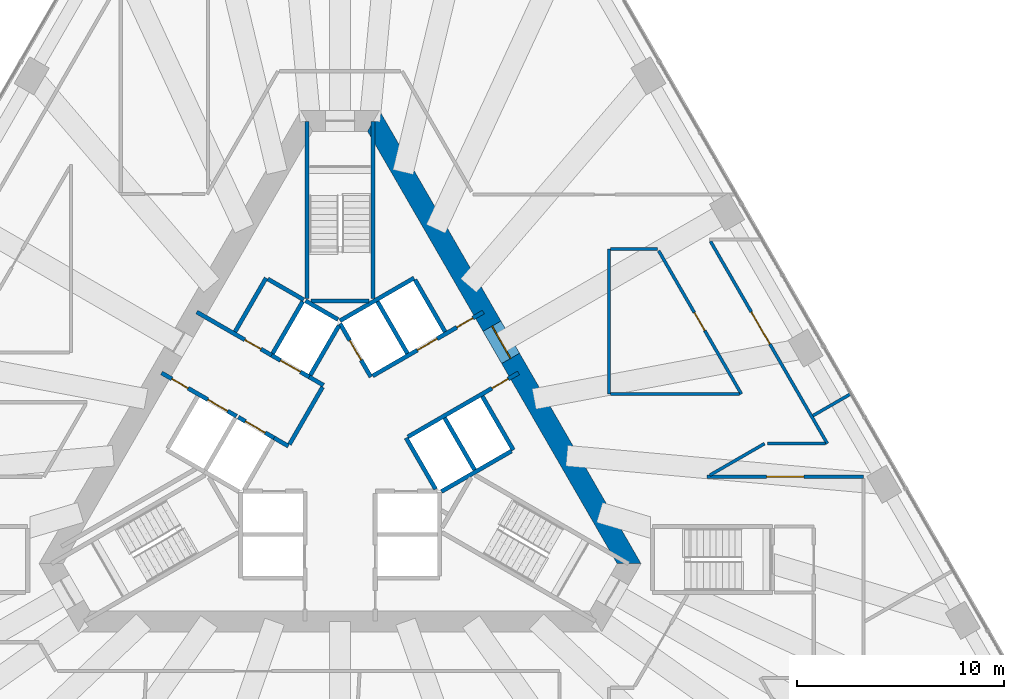
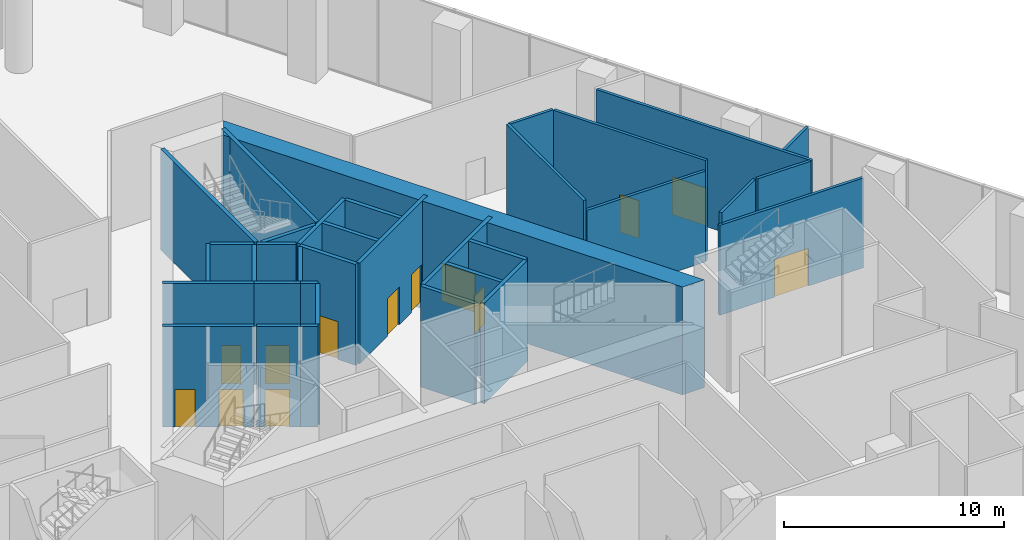
# One storey, part 27 of 36: 35 walls, 13 doors, 13 openings.
"""IFC4 building model written with IfcOpenShell, lengths in metres."""

import ifcopenshell
import ifcopenshell.guid

model = None  # the IFC model being written
_history = None  # IfcOwnerHistory: only IFC2X3 demands one
_inside = {}  # id of a spatial element -> (the spatial element, [elements in it])
_under = {}  # id of a project, library or spatial element -> (it, [spatial elements below it])
_declared = {}  # id of a project -> (the project, [libraries it declares])
_typed = {}  # id of a type object -> (the type object, [elements of that type])
_made_of = {}  # id of a material, layer set ... -> (it, [elements and type objects made of it])


def new_model(schema):
    """Start an empty IFC model of exactly this schema.

    Asked for "IFC4X3", IfcOpenShell would pick the latest addendum, in which some entities
    have other attributes; the version numbers below select the first issue.
    IFC2X3 requires an IfcOwnerHistory on every rooted entity: one is made here for all.
    """
    global model, _history
    if schema == "IFC4X3":
        model = ifcopenshell.file(schema_version=(4, 3, 0, 0))
    else:
        model = ifcopenshell.file(schema=schema)
    _inside.clear()
    _under.clear()
    _declared.clear()
    _typed.clear()
    _made_of.clear()
    _history = None
    if model.schema == "IFC2X3":
        org = make("IfcOrganization", Name="unknown")
        user = make(
            "IfcPersonAndOrganization",
            ThePerson=make("IfcPerson", FamilyName="unknown"),
            TheOrganization=org,
        )
        app = make(
            "IfcApplication",
            ApplicationDeveloper=org,
            Version="unknown",
            ApplicationFullName="unknown",
            ApplicationIdentifier="unknown",
        )
        _history = make(
            "IfcOwnerHistory",
            OwningUser=user,
            OwningApplication=app,
            ChangeAction="ADDED",
            CreationDate=0,
        )
    return model


def make(cls, **values):
    """One entity of the class cls with the attributes given. An attribute that is None is left unset."""
    return model.create_entity(
        cls, **{name: value for name, value in values.items() if value is not None}
    )


def rooted(cls, **values):
    """An entity with a GlobalId (a new one), such as an element, a storey or a relation."""
    return make(cls, GlobalId=ifcopenshell.guid.new(), OwnerHistory=_history, **values)


def si_unit(unit_type, name, prefix=None):
    """IfcSIUnit, for example si_unit("LENGTHUNIT", "METRE", prefix="MILLI")."""
    return make("IfcSIUnit", UnitType=unit_type, Prefix=prefix, Name=name)


def assignment(units):
    """IfcUnitAssignment: the units of a project."""
    return None if units is None else make("IfcUnitAssignment", Units=units)


def point(xyz):
    """IfcCartesianPoint."""
    return None if xyz is None else make("IfcCartesianPoint", Coordinates=xyz)


def direction(xyz):
    """IfcDirection."""
    return None if xyz is None else make("IfcDirection", DirectionRatios=xyz)


def frame(location, z_axis=None, x_axis=None):
    """IfcAxis2Placement3D, a coordinate frame: its origin and axes. An axis left out is left unset."""
    return make(
        "IfcAxis2Placement3D",
        Location=point(location),
        Axis=direction(z_axis),
        RefDirection=direction(x_axis),
    )


def frame_2d(location, x_axis=None):
    """IfcAxis2Placement2D, a coordinate frame in the plane: its origin and x axis."""
    return make(
        "IfcAxis2Placement2D", Location=point(location), RefDirection=direction(x_axis)
    )


def origin():
    """The frame at (0, 0, 0) with its axes left unset."""
    return frame((0.0, 0.0, 0.0))


def place(relative_to, where):
    """IfcLocalPlacement: puts the frame where relative to a parent placement (None: the world)."""
    return make(
        "IfcLocalPlacement", PlacementRelTo=relative_to, RelativePlacement=where
    )


def context(
    kind, dimensions, precision=None, world=None, true_north=None, identifier=None
):
    """IfcGeometricRepresentationContext, for example the 3D "Model" context."""
    return make(
        "IfcGeometricRepresentationContext",
        ContextIdentifier=identifier,
        ContextType=kind,
        CoordinateSpaceDimension=dimensions,
        Precision=precision,
        WorldCoordinateSystem=world,
        TrueNorth=true_north,
    )


def subcontext(parent, identifier, kind, view, scale=None):
    """IfcGeometricRepresentationSubContext, for example "Body" below "Model"."""
    return make(
        "IfcGeometricRepresentationSubContext",
        ContextIdentifier=identifier,
        ContextType=kind,
        ParentContext=parent,
        TargetScale=scale,
        TargetView=view,
    )


def project(units=None, contexts=None):
    """IfcProject with its units and contexts."""
    return rooted(
        "IfcProject",
        Name="project",
        RepresentationContexts=contexts,
        UnitsInContext=assignment(units),
    )


def spatial(cls, under=None, at=None, **own):
    """A site, building, storey or space (cls), placed at a placement, below another one or the project."""
    s = rooted(cls, ObjectPlacement=at, **own)
    if under is not None:
        _under.setdefault(under.id(), (under, []))[1].append(s)
    return s


def polyline(points):
    """IfcPolyline through the points."""
    return make("IfcPolyline", Points=[point(p) for p in points])


def profile(cls, at=None, kind="AREA", **sizes):
    """A parametric profile (cls). Its sizes go by their IFC names, for example OverallWidth=200.0."""
    return make(cls, ProfileType=kind, Position=at, **sizes)


def rectangle(**sizes):
    """IfcRectangleProfileDef."""
    return profile("IfcRectangleProfileDef", **sizes)


def outline(outer, holes=None, kind="AREA"):
    """IfcArbitraryClosedProfileDef: a profile drawn as a closed curve; with holes, ...WithVoids."""
    if holes is None:
        return make("IfcArbitraryClosedProfileDef", ProfileType=kind, OuterCurve=outer)
    return make(
        "IfcArbitraryProfileDefWithVoids",
        ProfileType=kind,
        OuterCurve=outer,
        InnerCurves=holes,
    )


def extrude(swept, where, along, depth):
    """IfcExtrudedAreaSolid: the profile swept, set in the frame where, extruded along a direction by depth."""
    return make(
        "IfcExtrudedAreaSolid",
        SweptArea=swept,
        Position=where,
        ExtrudedDirection=direction(along),
        Depth=depth,
    )


def shape(context_of_items, identifier, shape_type, items):
    """IfcShapeRepresentation: the items that make up one representation, for example the "Body"."""
    return make(
        "IfcShapeRepresentation",
        ContextOfItems=context_of_items,
        RepresentationIdentifier=identifier,
        RepresentationType=shape_type,
        Items=items,
    )


def material(Name=None, Category=None):
    """IfcMaterial."""
    return make("IfcMaterial", Name=Name, Category=Category)


def layer(
    of_material, thickness, ventilated=None, Name=None, Category=None, Priority=None
):
    """IfcMaterialLayer: one layer of a wall or slab, of a material (None: an air gap)."""
    return make(
        "IfcMaterialLayer",
        Material=of_material,
        LayerThickness=thickness,
        IsVentilated=ventilated,
        Name=Name,
        Category=Category,
        Priority=Priority,
    )


def layer_set(layers, Name=None):
    """IfcMaterialLayerSet."""
    return make("IfcMaterialLayerSet", MaterialLayers=layers, LayerSetName=Name)


def made_of(thing, what):
    """Note that an element or type object is made of a material, layer set ...; save() writes the relation."""
    if what is not None:
        _made_of.setdefault(what.id(), (what, []))[1].append(thing)
    return thing


def type_object(cls, material=None, **own):
    """A type object (cls), such as IfcWallType, which elements share."""
    return made_of(rooted(cls, **own), material)


def element(
    cls,
    number,
    at=None,
    inside=None,
    cuts=None,
    type_object=None,
    material=None,
    context=None,
    identifier="Body",
    shape_type=None,
    held_by="IfcProductDefinitionShape",
    body=None,
    shapes=None,
    **own,
):
    """One element of the class cls, such as IfcWall. Its Tag is "e" and its number.

    at: its placement. inside: the storey or other place that contains it. cuts: it is an
    opening in that element (IfcRelVoidsElement). A single representation is given by context,
    identifier, shape_type and body (its items); several are given by shapes. held_by: the class
    of the entity that holds the representations. save() writes the other relations.
    """
    e = rooted(cls, Tag="e%d" % number, ObjectPlacement=at, **own)
    if body is not None:
        shapes = [shape(context, identifier, shape_type, body)]
    if shapes is not None:
        e.Representation = make(held_by, Representations=shapes)
    if inside is not None:
        _inside.setdefault(inside.id(), (inside, []))[1].append(e)
    if cuts is not None:
        rooted(
            "IfcRelVoidsElement", RelatingBuildingElement=cuts, RelatedOpeningElement=e
        )
    if type_object is not None:
        _typed.setdefault(type_object.id(), (type_object, []))[1].append(e)
    return made_of(e, material)


def fill(opening, filler):
    """IfcRelFillsElement: the door or window that sits in an opening."""
    return rooted(
        "IfcRelFillsElement",
        RelatingOpeningElement=opening,
        RelatedBuildingElement=filler,
    )


def aggregate(whole, parts):
    """IfcRelAggregates: a whole, such as a stair, and the parts it consists of."""
    return rooted("IfcRelAggregates", RelatingObject=whole, RelatedObjects=parts)


def save(model, path):
    """Write the relations noted so far, then the file.

    IfcRelAggregates (storeys below a building ...), IfcRelContainedInSpatialStructure (elements
    in a storey), IfcRelDefinesByType, IfcRelAssociatesMaterial and IfcRelDeclares: one each for
    every whole, place, type object, material and project.
    """
    for whole, parts in _under.values():
        aggregate(whole, parts)
    for where, things in _inside.values():
        rooted(
            "IfcRelContainedInSpatialStructure",
            RelatedElements=things,
            RelatingStructure=where,
        )
    for kind, things in _typed.values():
        rooted("IfcRelDefinesByType", RelatedObjects=things, RelatingType=kind)
    for what, things in _made_of.values():
        rooted("IfcRelAssociatesMaterial", RelatedObjects=things, RelatingMaterial=what)
    for by, libraries in _declared.values():
        rooted("IfcRelDeclares", RelatingContext=by, RelatedDefinitions=libraries)
    model.write(path)


model = new_model("IFC4")

# Units and contexts
model_context = context("Model", 3, precision=1e-05, world=origin(), true_north=direction((0.0, 1.0)))
body_context = subcontext(model_context, "Body", "Model", "MODEL_VIEW")
ifc_project = project(units=[si_unit("LENGTHUNIT", "METRE"), si_unit("AREAUNIT", "SQUARE_METRE"), si_unit("VOLUMEUNIT", "CUBIC_METRE"), si_unit("PLANEANGLEUNIT", "RADIAN"), si_unit("MASSUNIT", "GRAM", prefix="KILO")], contexts=[model_context])

# Site, building, storey
site_placement = place(None, origin())
site = spatial("IfcSite", under=ifc_project, at=site_placement, CompositionType="ELEMENT")
building_placement = place(site_placement, origin())
building = spatial("IfcBuilding", under=site, at=building_placement, Name="Triada Interchange Tower", CompositionType="ELEMENT")
storey_placement = place(building_placement, frame((0.0, 0.0, 8.5)))
storey = spatial("IfcBuildingStorey", under=building, at=storey_placement, Name="L01", CompositionType="ELEMENT", Elevation=8.5)

# Wall
ifc_material_1 = material(Name="Concrete C30/37", Category="concrete")
ifc_layer_1 = layer(ifc_material_1, 0.199951171875)
ifc_layer_set_1 = layer_set([ifc_layer_1], Name="CORE WALL 200 EI 120")
wall_type_1 = type_object("IfcWallType", Name="CORE WALL 200 EI 120", PredefinedType="SOLIDWALL", material=ifc_layer_set_1)
wall_1_placement = place(storey_placement, frame((-0.001953125, 5.541015625, 0.0), z_axis=(0.0, 0.0, 1.0), x_axis=(0.86600155993, 0.500041296494, 0.0)))
element("IfcWall", 1, at=wall_1_placement, inside=storey, type_object=wall_type_1, Name="Wall L01 197", PredefinedType="SOLIDWALL", context=body_context, shape_type="SweptSolid", body=[
    extrude(rectangle(XDim=4.131591796875, YDim=0.199951171875, at=frame_2d((2.06591796875, 0.0))), origin(), (0.0, 0.0, 1.0), 5.60009765625),
])

# Wall, opening, door
wall_2_placement = place(storey_placement, frame((0.0, 5.39990234375, 0.0), z_axis=(0.0, 0.0, 1.0), x_axis=(0.500103862429, -0.865965430478, 0.0)))
wall_2 = element("IfcWall", 2, at=wall_2_placement, inside=storey, type_object=wall_type_1, Name="Wall L01 198", PredefinedType="SOLIDWALL", context=body_context, shape_type="SweptSolid", body=[
    extrude(rectangle(XDim=2.973388671875, YDim=0.199951171875, at=frame_2d((1.48681640625, 0.0))), origin(), (0.0, 0.0, 1.0), 5.60009765625),
])
opening_1_placement = place(wall_2_placement, frame((0.93701171875, 0.0, 0.0)))
opening_1 = element("IfcOpeningElement", 3, at=opening_1_placement, cuts=wall_2, Name="Opening LD-LR5", PredefinedType="OPENING", context=body_context, shape_type="SweptSolid", body=[
    extrude(rectangle(XDim=1.10009765625, YDim=2.10009765625, at=frame_2d((0.550048828125, 1.050048828125))), frame((0.0, 0.10986328125, 0.0), z_axis=(0.0, -1.0, 0.0), x_axis=(1.0, 0.0, 0.0)), (0.0, 0.0, 1.0), 0.219970703125),
])
ifc_material_2 = material(Name="Steel S235 door leaf", Category="steel")
door_type_1 = type_object("IfcDoorType", Name="LIFT LANDING DOOR 1100 EI 120", OperationType="SLIDING_TO_LEFT", PredefinedType="DOOR", material=ifc_material_2)
door_1_placement = place(opening_1_placement, origin())
door_1 = element("IfcDoor", 4, at=door_1_placement, inside=storey, type_object=door_type_1, Name="LR5 landing door L01", OperationType="SLIDING_TO_LEFT", OverallHeight=2.10009765625, OverallWidth=1.10009765625, PredefinedType="DOOR", context=body_context, shape_type="SweptSolid", body=[
    extrude(rectangle(XDim=1.10009765625, YDim=2.10009765625, at=frame_2d((0.550048828125, 1.050048828125))), frame((0.0, 0.02490234375, 0.0), z_axis=(0.0, -1.0, 0.0), x_axis=(1.0, 0.0, 0.0)), (0.0, 0.0, 1.0), 0.050048828125),
])
fill(opening_1, door_1)

# Wall
wall_3_placement = place(storey_placement, frame((3.18994140625, -0.125, 0.0), z_axis=(0.0, 0.0, 1.0), x_axis=(0.499988658015, -0.866031951983, 0.0)))
element("IfcWall", 5, at=wall_3_placement, inside=storey, type_object=wall_type_1, Name="Wall L01 199", PredefinedType="SOLIDWALL", context=body_context, shape_type="SweptSolid", body=[
    extrude(rectangle(XDim=2.85791015625, YDim=0.199951171875, at=frame_2d((1.428955078125, 0.0))), origin(), (0.0, 0.0, 1.0), 5.60009765625),
])

# Wall, openings, doors
wall_4_placement = place(storey_placement, frame((1.577880859375, 2.8740234375, 0.0), z_axis=(0.0, 0.0, 1.0), x_axis=(0.866055259465, 0.499948284879, 0.0)))
wall_4 = element("IfcWall", 6, at=wall_4_placement, inside=storey, type_object=wall_type_1, Name="Wall L01 200", PredefinedType="SOLIDWALL", context=body_context, shape_type="SweptSolid", body=[
    extrude(rectangle(XDim=6.176513671875, YDim=0.199951171875, at=frame_2d((3.08837890625, 0.0))), origin(), (0.0, 0.0, 1.0), 5.60009765625),
])
opening_2_placement = place(wall_4_placement, frame((2.49609375, 0.0, 0.0)))
opening_2 = element("IfcOpeningElement", 7, at=opening_2_placement, cuts=wall_4, Name="Opening LD-LR6", PredefinedType="OPENING", context=body_context, shape_type="SweptSolid", body=[
    extrude(rectangle(XDim=1.10009765625, YDim=2.10009765625, at=frame_2d((0.550048828125, 1.050048828125))), frame((0.0, 0.10986328125, 0.0), z_axis=(0.0, -1.0, 0.0), x_axis=(1.0, 0.0, 0.0)), (0.0, 0.0, 1.0), 0.219970703125),
])
opening_3_placement = place(wall_4_placement, frame((4.696044921875, 0.0, 0.0)))
opening_3 = element("IfcOpeningElement", 8, at=opening_3_placement, cuts=wall_4, Name="Opening D01-77", PredefinedType="OPENING", context=body_context, shape_type="SweptSolid", body=[
    extrude(rectangle(XDim=0.89990234375, YDim=2.10009765625, at=frame_2d((0.449951171875, 1.050048828125))), frame((0.0, 0.10986328125, 0.0), z_axis=(0.0, -1.0, 0.0), x_axis=(1.0, 0.0, 0.0)), (0.0, 0.0, 1.0), 0.219970703125),
])
door_2_placement = place(opening_2_placement, origin())
door_2 = element("IfcDoor", 9, at=door_2_placement, inside=storey, type_object=door_type_1, Name="LR6 landing door L01", OperationType="SLIDING_TO_LEFT", OverallHeight=2.10009765625, OverallWidth=1.10009765625, PredefinedType="DOOR", context=body_context, shape_type="SweptSolid", body=[
    extrude(rectangle(XDim=1.10009765625, YDim=2.10009765625, at=frame_2d((0.550048828125, 1.050048828125))), frame((0.0, 0.02490234375, 0.0), z_axis=(0.0, -1.0, 0.0), x_axis=(1.0, 0.0, 0.0)), (0.0, 0.0, 1.0), 0.050048828125),
])
fill(opening_2, door_2)
door_type_2 = type_object("IfcDoorType", Name="RISER ACCESS DOOR 900 EI2 45-C5S200", OperationType="NOTDEFINED", PredefinedType="DOOR", material=ifc_material_2)
door_3_placement = place(opening_3_placement, origin())
door_3 = element("IfcDoor", 10, at=door_3_placement, inside=storey, type_object=door_type_2, Name="Door D01-77 L01", OperationType="SINGLE_SWING_LEFT", OverallHeight=2.10009765625, OverallWidth=0.89990234375, PredefinedType="DOOR", context=body_context, shape_type="SweptSolid", body=[
    extrude(rectangle(XDim=0.89990234375, YDim=2.10009765625, at=frame_2d((0.449951171875, 1.050048828125))), frame((0.0, 0.02490234375, 0.0), z_axis=(0.0, -1.0, 0.0), x_axis=(1.0, 0.0, 0.0)), (0.0, 0.0, 1.0), 0.050048828125),
])
fill(opening_3, door_3)

# Wall, opening, door
wall_5_placement = place(storey_placement, frame((3.278076171875, -0.071044921875, 0.0), z_axis=(0.0, 0.0, 1.0), x_axis=(0.865959795517, 0.500113619639, 0.0)))
wall_5 = element("IfcWall", 11, at=wall_5_placement, inside=storey, type_object=wall_type_1, Name="Wall L01 203", PredefinedType="SOLIDWALL", context=body_context, shape_type="SweptSolid", body=[
    extrude(rectangle(XDim=6.1767578125, YDim=0.199951171875, at=frame_2d((3.08837890625, 0.0))), origin(), (0.0, 0.0, 1.0), 5.60009765625),
])
opening_4_placement = place(wall_5_placement, frame((4.697021484375, 0.0, 0.0)))
opening_4 = element("IfcOpeningElement", 12, at=opening_4_placement, cuts=wall_5, Name="Opening D01-79", PredefinedType="OPENING", context=body_context, shape_type="SweptSolid", body=[
    extrude(rectangle(XDim=0.89990234375, YDim=2.10009765625, at=frame_2d((0.449951171875, 1.050048828125))), frame((0.0, 0.10986328125, 0.0), z_axis=(0.0, -1.0, 0.0), x_axis=(1.0, 0.0, 0.0)), (0.0, 0.0, 1.0), 0.219970703125),
])
door_type_3 = type_object("IfcDoorType", Name="SERVICE DOOR 900 EI2 45-C5S200", OperationType="NOTDEFINED", PredefinedType="DOOR", material=ifc_material_2)
door_4_placement = place(opening_4_placement, origin())
door_4 = element("IfcDoor", 13, at=door_4_placement, inside=storey, type_object=door_type_3, Name="Door D01-79 L01", OperationType="SINGLE_SWING_RIGHT", OverallHeight=2.10009765625, OverallWidth=0.89990234375, PredefinedType="DOOR", context=body_context, shape_type="SweptSolid", body=[
    extrude(rectangle(XDim=0.89990234375, YDim=2.10009765625, at=frame_2d((0.449951171875, 1.050048828125))), frame((0.0, 0.02490234375, 0.0), z_axis=(0.0, -1.0, 0.0), x_axis=(1.0, 0.0, 0.0)), (0.0, 0.0, 1.0), 0.050048828125),
])
fill(opening_4, door_4)

# Walls
wall_6_placement = place(storey_placement, frame((3.6259765625, 7.52001953125, 0.0), z_axis=(0.0, 0.0, 1.0), x_axis=(0.500060147554, -0.865990674793, 0.0)))
element("IfcWall", 14, at=wall_6_placement, inside=storey, type_object=wall_type_1, Name="Wall L01 204", PredefinedType="SOLIDWALL", context=body_context, shape_type="SweptSolid", body=[
    extrude(rectangle(XDim=2.899658203125, YDim=0.199951171875, at=frame_2d((1.44970703125, 0.0))), origin(), (0.0, 0.0, 1.0), 5.60009765625),
])
wall_7_placement = place(storey_placement, frame((6.8759765625, 1.89111328125, 0.0), z_axis=(0.0, 0.0, 1.0), x_axis=(0.499990139034, -0.866031096941, 0.0)))
element("IfcWall", 15, at=wall_7_placement, inside=storey, type_object=wall_type_1, Name="Wall L01 205", PredefinedType="SOLIDWALL", context=body_context, shape_type="SweptSolid", body=[
    extrude(rectangle(XDim=3.0, YDim=0.199951171875, at=frame_2d((1.5, 0.0))), origin(), (0.0, 0.0, 1.0), 5.60009765625),
])
for number, where, z_axis, x_axis, name in (
    (16, (1.806884765625, 6.469970703125, 0.0), (0.0, 0.0, 1.0), (0.50012328804, -0.865954211699, 0.0), "Wall L01 206"),
    (17, (5.056884765625, 0.841064453125, 0.0), (0.0, 0.0, 1.0), (0.50012328804, -0.865954211699, 0.0), "Wall L01 207"),
):
    element("IfcWall", number, at=place(storey_placement, frame(where, z_axis=z_axis, x_axis=x_axis)), inside=storey, type_object=wall_type_1, Name=name, PredefinedType="SOLIDWALL", context=body_context, shape_type="SweptSolid", body=[
        extrude(rectangle(XDim=2.899658203125, YDim=0.199951171875, at=frame_2d((1.44970703125, 0.0))), origin(), (0.0, 0.0, 1.0), 5.60009765625),
    ])
wall_8_placement = place(storey_placement, frame((4.89990234375, -2.714111328125, 0.0), z_axis=(0.0, 0.0, 1.0), x_axis=(0.865992350556, 0.500057245502, 0.0)))
element("IfcWall", 18, at=wall_8_placement, inside=storey, type_object=wall_type_1, Name="Wall L01 208", PredefinedType="SOLIDWALL", context=body_context, shape_type="SweptSolid", body=[
    extrude(rectangle(XDim=3.91357421875, YDim=0.199951171875, at=frame_2d((1.956787109375, 0.0))), origin(), (0.0, 0.0, 1.0), 5.60009765625),
])

# Wall, openings, doors
ifc_layer_2 = layer(ifc_material_1, 0.199951171875)
ifc_layer_set_2 = layer_set([ifc_layer_2], Name="CORE WALL 200 EI 180")
wall_type_2 = type_object("IfcWallType", Name="CORE WALL 200 EI 180", PredefinedType="SOLIDWALL", material=ifc_layer_set_2)
wall_9_placement = place(storey_placement, frame((-8.626953125, 3.01806640625, 0.0), z_axis=(0.0, 0.0, 1.0), x_axis=(0.866039775641, -0.499975106388, 0.0)))
wall_9 = element("IfcWall", 19, at=wall_9_placement, inside=storey, type_object=wall_type_2, Name="Wall L01 209", PredefinedType="SOLIDWALL", context=body_context, shape_type="SweptSolid", body=[
    extrude(rectangle(XDim=4.182373046875, YDim=0.199951171875, at=frame_2d((2.09130859375, 0.0))), origin(), (0.0, 0.0, 1.0), 5.60009765625),
])
opening_5_placement = place(wall_9_placement, frame((2.580078125, 0.0, 0.0)))
opening_5 = element("IfcOpeningElement", 20, at=opening_5_placement, cuts=wall_9, Name="Opening LD-SV1", PredefinedType="OPENING", context=body_context, shape_type="SweptSolid", body=[
    extrude(rectangle(XDim=1.10009765625, YDim=2.10009765625, at=frame_2d((0.550048828125, 1.050048828125))), frame((0.0, 0.10986328125, 0.0), z_axis=(0.0, -1.0, 0.0), x_axis=(1.0, 0.0, 0.0)), (0.0, 0.0, 1.0), 0.219970703125),
])
opening_6_placement = place(wall_9_placement, frame((0.580078125, 0.0, 0.0)))
opening_6 = element("IfcOpeningElement", 21, at=opening_6_placement, cuts=wall_9, Name="Opening D01-75", PredefinedType="OPENING", context=body_context, shape_type="SweptSolid", body=[
    extrude(rectangle(XDim=0.89990234375, YDim=2.10009765625, at=frame_2d((0.449951171875, 1.050048828125))), frame((0.0, 0.10986328125, 0.0), z_axis=(0.0, -1.0, 0.0), x_axis=(1.0, 0.0, 0.0)), (0.0, 0.0, 1.0), 0.219970703125),
])
door_5_placement = place(opening_5_placement, origin())
door_5 = element("IfcDoor", 22, at=door_5_placement, inside=storey, type_object=door_type_1, Name="SV1 landing door L01", OperationType="SLIDING_TO_LEFT", OverallHeight=2.10009765625, OverallWidth=1.10009765625, PredefinedType="DOOR", context=body_context, shape_type="SweptSolid", body=[
    extrude(rectangle(XDim=1.10009765625, YDim=2.10009765625, at=frame_2d((0.550048828125, 1.050048828125))), frame((0.0, 0.02490234375, 0.0), z_axis=(0.0, -1.0, 0.0), x_axis=(1.0, 0.0, 0.0)), (0.0, 0.0, 1.0), 0.050048828125),
])
fill(opening_5, door_5)
door_6_placement = place(opening_6_placement, origin())
door_6 = element("IfcDoor", 23, at=door_6_placement, inside=storey, type_object=door_type_3, Name="Door D01-75 L01", OperationType="SINGLE_SWING_RIGHT", OverallHeight=2.10009765625, OverallWidth=0.89990234375, PredefinedType="DOOR", context=body_context, shape_type="SweptSolid", body=[
    extrude(rectangle(XDim=0.89990234375, YDim=2.10009765625, at=frame_2d((0.449951171875, 1.050048828125))), frame((0.0, 0.02490234375, 0.0), z_axis=(0.0, -1.0, 0.0), x_axis=(1.0, 0.0, 0.0)), (0.0, 0.0, 1.0), 0.050048828125),
])
fill(opening_6, door_6)

# Wall
wall_10_placement = place(storey_placement, frame((-3.18798828125, -0.1220703125, 0.0), z_axis=(0.0, 0.0, 1.0), x_axis=(0.865705793592, -0.50055317294, 0.0)))
element("IfcWall", 24, at=wall_10_placement, inside=storey, type_object=wall_type_2, Name="Wall L01 210", PredefinedType="SOLIDWALL", context=body_context, shape_type="SweptSolid", body=[
    extrude(rectangle(XDim=0.796875, YDim=0.199951171875, at=frame_2d((0.3984375, 0.0))), origin(), (0.0, 0.0, 1.0), 5.60009765625),
])

# Wall, opening, door
wall_11_placement = place(storey_placement, frame((-6.927001953125, 5.9619140625, 0.0), z_axis=(0.0, 0.0, 1.0), x_axis=(0.866065051207, -0.49993132236, 0.0)))
wall_11 = element("IfcWall", 25, at=wall_11_placement, inside=storey, type_object=wall_type_2, Name="Wall L01 211", PredefinedType="SOLIDWALL", context=body_context, shape_type="SweptSolid", body=[
    extrude(rectangle(XDim=4.18212890625, YDim=0.199951171875, at=frame_2d((2.091064453125, 0.0))), origin(), (0.0, 0.0, 1.0), 5.60009765625),
])
opening_7_placement = place(wall_11_placement, frame((2.679931640625, 0.0, 0.0)))
opening_7 = element("IfcOpeningElement", 26, at=opening_7_placement, cuts=wall_11, Name="Opening D01-10", PredefinedType="OPENING", context=body_context, shape_type="SweptSolid", body=[
    extrude(rectangle(XDim=0.89990234375, YDim=2.10009765625, at=frame_2d((0.449951171875, 1.050048828125))), frame((0.0, 0.10986328125, 0.0), z_axis=(0.0, -1.0, 0.0), x_axis=(1.0, 0.0, 0.0)), (0.0, 0.0, 1.0), 0.219970703125),
])
door_type_4 = type_object("IfcDoorType", Name="SERVICE DOOR 900 EI2 90-C5S200", OperationType="NOTDEFINED", PredefinedType="DOOR", material=ifc_material_2)
door_7_placement = place(opening_7_placement, origin())
door_7 = element("IfcDoor", 27, at=door_7_placement, inside=storey, type_object=door_type_4, Name="Door D01-10 L01", OperationType="SINGLE_SWING_LEFT", OverallHeight=2.10009765625, OverallWidth=0.89990234375, PredefinedType="DOOR", context=body_context, shape_type="SweptSolid", body=[
    extrude(rectangle(XDim=0.89990234375, YDim=2.10009765625, at=frame_2d((0.449951171875, 1.050048828125))), frame((0.0, 0.02490234375, 0.0), z_axis=(0.0, -1.0, 0.0), x_axis=(1.0, 0.0, 0.0)), (0.0, 0.0, 1.0), 0.050048828125),
])
fill(opening_7, door_7)

# Walls
wall_12_placement = place(storey_placement, frame((-1.488037109375, 2.822021484375, 0.0), z_axis=(0.0, 0.0, 1.0), x_axis=(0.866236612152, -0.499633997809, 0.0)))
element("IfcWall", 28, at=wall_12_placement, inside=storey, type_object=wall_type_2, Name="Wall L01 212", PredefinedType="SOLIDWALL", context=body_context, shape_type="SweptSolid", body=[
    extrude(rectangle(XDim=0.79638671875, YDim=0.199951171875, at=frame_2d((0.398193359375, 0.0))), origin(), (0.0, 0.0, 1.0), 5.60009765625),
])
wall_13_placement = place(storey_placement, frame((-5.075927734375, 5.009033203125, 0.0), z_axis=(0.0, 0.0, 1.0), x_axis=(0.50002537861, 0.866010750942, 0.0)))
element("IfcWall", 29, at=wall_13_placement, inside=storey, type_object=wall_type_2, Name="Wall L01 213", PredefinedType="SOLIDWALL", context=body_context, shape_type="SweptSolid", body=[
    extrude(rectangle(XDim=2.999755859375, YDim=0.199951171875, at=frame_2d((1.5, 0.0))), origin(), (0.0, 0.0, 1.0), 5.60009765625),
])
wall_14_placement = place(storey_placement, frame((-3.489013671875, 7.556884765625, 0.0), z_axis=(0.0, 0.0, 1.0), x_axis=(0.866010750942, -0.50002537861, 0.0)))
element("IfcWall", 30, at=wall_14_placement, inside=storey, type_object=wall_type_2, Name="Wall L01 214", PredefinedType="SOLIDWALL", context=body_context, shape_type="SweptSolid", body=[
    extrude(rectangle(XDim=2.0, YDim=0.199951171875, at=frame_2d((1.0, 0.0))), origin(), (0.0, 0.0, 1.0), 5.60009765625),
])
wall_15_placement = place(storey_placement, frame((-2.444091796875, -0.43310546875, 0.0), z_axis=(0.0, 0.0, 1.0), x_axis=(0.500035624827, 0.866004834804, 0.0)))
element("IfcWall", 31, at=wall_15_placement, inside=storey, type_object=wall_type_2, Name="Wall L01 215", PredefinedType="SOLIDWALL", context=body_context, shape_type="SweptSolid", body=[
    extrude(rectangle(XDim=3.194091796875, YDim=0.199951171875, at=frame_2d((1.59716796875, 0.0))), origin(), (0.0, 0.0, 1.0), 5.60009765625),
])

# Wall, opening, door
wall_16_placement = place(storey_placement, frame((-4.919921875, 0.8779296875, 0.0), z_axis=(0.0, 0.0, 1.0), x_axis=(0.866010750942, -0.50002537861, 0.0)))
wall_16 = element("IfcWall", 32, at=wall_16_placement, inside=storey, type_object=wall_type_2, Name="Shaft wall FF1 L01 218", PredefinedType="SOLIDWALL", context=body_context, shape_type="SweptSolid", body=[
    extrude(rectangle(XDim=2.0, YDim=0.199951171875, at=frame_2d((1.0, 0.0))), origin(), (0.0, 0.0, 1.0), 5.60009765625),
])
opening_8_placement = place(wall_16_placement, frame((0.39990234375, 0.0, 0.0)))
opening_8 = element("IfcOpeningElement", 33, at=opening_8_placement, cuts=wall_16, Name="Opening LD-FF1", PredefinedType="OPENING", context=body_context, shape_type="SweptSolid", body=[
    extrude(rectangle(XDim=1.10009765625, YDim=2.10009765625, at=frame_2d((0.550048828125, 1.050048828125))), frame((0.0, 0.10986328125, 0.0), z_axis=(0.0, -1.0, 0.0), x_axis=(1.0, 0.0, 0.0)), (0.0, 0.0, 1.0), 0.219970703125),
])
door_8_placement = place(opening_8_placement, origin())
door_8 = element("IfcDoor", 34, at=door_8_placement, inside=storey, type_object=door_type_1, Name="FF1 landing door L01", OperationType="SLIDING_TO_LEFT", OverallHeight=2.10009765625, OverallWidth=1.10009765625, PredefinedType="DOOR", context=body_context, shape_type="SweptSolid", body=[
    extrude(rectangle(XDim=1.10009765625, YDim=2.10009765625, at=frame_2d((0.550048828125, 1.050048828125))), frame((0.0, 0.02490234375, 0.0), z_axis=(0.0, -1.0, 0.0), x_axis=(1.0, 0.0, 0.0)), (0.0, 0.0, 1.0), 0.050048828125),
])
fill(opening_8, door_8)

wall_17_placement = place(storey_placement, frame((-3.30908203125, 3.873046875, 0.0), z_axis=(0.0, 0.0, 1.0), x_axis=(0.866098583652, -0.499873227325, 0.0)))
wall_17 = element("IfcWall", 35, at=wall_17_placement, inside=storey, type_object=wall_type_2, Name="Shaft wall FF2 L01 220", PredefinedType="SOLIDWALL", context=body_context, shape_type="SweptSolid", body=[
    extrude(rectangle(XDim=2.1025390625, YDim=0.199951171875, at=frame_2d((1.05126953125, 0.0))), origin(), (0.0, 0.0, 1.0), 5.60009765625),
])
opening_9_placement = place(wall_17_placement, frame((0.501953125, 0.0, 0.0)))
opening_9 = element("IfcOpeningElement", 36, at=opening_9_placement, cuts=wall_17, Name="Opening LD-FF2", PredefinedType="OPENING", context=body_context, shape_type="SweptSolid", body=[
    extrude(rectangle(XDim=1.10009765625, YDim=2.10009765625, at=frame_2d((0.550048828125, 1.050048828125))), frame((0.0, 0.10986328125, 0.0), z_axis=(0.0, -1.0, 0.0), x_axis=(1.0, 0.0, 0.0)), (0.0, 0.0, 1.0), 0.219970703125),
])
door_9_placement = place(opening_9_placement, origin())
door_9 = element("IfcDoor", 37, at=door_9_placement, inside=storey, type_object=door_type_1, Name="FF2 landing door L01", OperationType="SLIDING_TO_LEFT", OverallHeight=2.10009765625, OverallWidth=1.10009765625, PredefinedType="DOOR", context=body_context, shape_type="SweptSolid", body=[
    extrude(rectangle(XDim=1.10009765625, YDim=2.10009765625, at=frame_2d((0.550048828125, 1.050048828125))), frame((0.0, 0.02490234375, 0.0), z_axis=(0.0, -1.0, 0.0), x_axis=(1.0, 0.0, 0.0)), (0.0, 0.0, 1.0), 0.050048828125),
])
fill(opening_9, door_9)

# Walls
wall_18_placement = place(storey_placement, frame((-3.257080078125, 3.958984375, 0.0), z_axis=(0.0, 0.0, 1.0), x_axis=(0.50012328804, 0.865954211699, 0.0)))
element("IfcWall", 38, at=wall_18_placement, inside=storey, type_object=wall_type_2, Name="Shaft wall FF2 L01 221", PredefinedType="SOLIDWALL", context=body_context, shape_type="SweptSolid", body=[
    extrude(rectangle(XDim=2.899658203125, YDim=0.199951171875, at=frame_2d((1.44970703125, 0.0))), origin(), (0.0, 0.0, 1.0), 5.60009765625),
])
wall_19_placement = place(storey_placement, frame((-1.669921875, 6.507080078125, 0.0), z_axis=(0.0, 0.0, 1.0), x_axis=(0.865941441609, -0.500145398563, 0.0)))
element("IfcWall", 39, at=wall_19_placement, inside=storey, type_object=wall_type_2, Name="Shaft wall FF2 L01 222", PredefinedType="SOLIDWALL", context=body_context, shape_type="SweptSolid", body=[
    extrude(rectangle(XDim=1.8154296875, YDim=0.199951171875, at=frame_2d((0.90771484375, 0.0))), origin(), (0.0, 0.0, 1.0), 5.60009765625),
])
wall_20_placement = place(storey_placement, frame((-1.43798828125, 2.908935546875, 0.0), z_axis=(0.0, 0.0, 1.0), x_axis=(0.499829630636, 0.866123744241, 0.0)))
element("IfcWall", 40, at=wall_20_placement, inside=storey, type_object=wall_type_2, Name="Shaft wall FF2 L01 223", PredefinedType="SOLIDWALL", context=body_context, shape_type="SweptSolid", body=[
    extrude(rectangle(XDim=2.7607421875, YDim=0.199951171875, at=frame_2d((1.38037109375, 0.0))), origin(), (0.0, 0.0, 1.0), 5.60009765625),
])
ifc_layer_3 = layer(ifc_material_1, 0.199951171875)
ifc_layer_set_3 = layer_set([ifc_layer_3], Name="CORE WALL 200 REI 240")
wall_type_3 = type_object("IfcWallType", Name="CORE WALL 200 REI 240", PredefinedType="SOLIDWALL", material=ifc_layer_set_3)
wall_21_placement = place(storey_placement, frame((1.60009765625, 6.614990234375, 0.0), z_axis=(0.0, 0.0, 1.0), x_axis=(0.0, 1.0, 0.0)))
element("IfcWall", 41, at=wall_21_placement, inside=storey, type_object=wall_type_3, Name="Wall L01 229", PredefinedType="SOLIDWALL", context=body_context, shape_type="SweptSolid", body=[
    extrude(rectangle(XDim=8.56494140625, YDim=0.199951171875, at=frame_2d((4.282470703125, 0.0))), origin(), (0.0, 0.0, 1.0), 5.60009765625),
])
wall_22_placement = place(storey_placement, frame((-1.39990234375, 6.5, 0.0), z_axis=(0.0, 0.0, 1.0), x_axis=(1.0, 0.0, 0.0)))
element("IfcWall", 42, at=wall_22_placement, inside=storey, type_object=wall_type_3, Name="Wall L01 230", PredefinedType="SOLIDWALL", context=body_context, shape_type="SweptSolid", body=[
    extrude(rectangle(XDim=2.7998046875, YDim=0.199951171875, at=frame_2d((1.39990234375, 0.0))), origin(), (0.0, 0.0, 1.0), 5.60009765625),
])
wall_23_placement = place(storey_placement, frame((-1.60009765625, 6.614990234375, 0.0), z_axis=(0.0, 0.0, 1.0), x_axis=(0.0, 1.0, 0.0)))
element("IfcWall", 43, at=wall_23_placement, inside=storey, type_object=wall_type_3, Name="Wall L01 231", PredefinedType="SOLIDWALL", context=body_context, shape_type="SweptSolid", body=[
    extrude(rectangle(XDim=8.56494140625, YDim=0.199951171875, at=frame_2d((4.282470703125, 0.0))), origin(), (0.0, 0.0, 1.0), 5.60009765625),
])

# Wall, opening, door
ifc_material_3 = material(Name="Concrete C70/85", Category="concrete")
ifc_layer_4 = layer(ifc_material_3, 1.0)
ifc_layer_set_4 = layer_set([ifc_layer_4], Name="Core wall P 1000")
wall_type_4 = type_object("IfcWallType", Name="Core wall P 1000", PredefinedType="SHEAR", material=ifc_layer_set_4)
wall_24_placement = place(storey_placement, frame((13.971923828125, -6.199951171875, -0.39990234375), z_axis=(0.0, 0.0, 1.0), x_axis=(-0.499992141631, 0.866029940768, 0.0)))
wall_24 = element("IfcWall", 44, at=wall_24_placement, inside=storey, type_object=wall_type_4, Name="Core wall WP06 L01", PredefinedType="SHEAR", context=body_context, shape_type="SweptSolid", body=[
    extrude(outline(polyline([(-0.2880859375, -0.5), (1.656982421875, -0.5), (3.602294921875, -0.499755859375), (5.54736328125, -0.499755859375), (7.49267578125, -0.499755859375), (9.437744140625, -0.49951171875), (11.3828125, -0.49951171875), (13.328125, -0.49951171875), (15.273193359375, -0.49951171875), (17.21826171875, -0.499267578125), (19.16357421875, -0.499267578125), (21.108642578125, -0.499267578125), (23.053955078125, -0.4990234375), (24.9990234375, -0.4990234375), (24.422119140625, 0.5), (22.565673828125, 0.5), (20.709228515625, 0.5), (18.852783203125, 0.5), (16.996337890625, 0.5), (15.139892578125, 0.5), (13.283447265625, 0.5), (11.4267578125, 0.5), (9.5703125, 0.5), (7.7138671875, 0.5), (5.857421875, 0.5), (4.0009765625, 0.5), (2.14453125, 0.5), (0.2880859375, 0.5), (-0.2880859375, -0.5)])), origin(), (0.0, 0.0, 1.0), 6.0),
])
opening_10_placement = place(wall_24_placement, frame((11.455078125, 0.0, 0.39990234375)))
opening_10 = element("IfcOpeningElement", 45, at=opening_10_placement, cuts=wall_24, Name="Opening D01-70", PredefinedType="OPENING", context=body_context, shape_type="SweptSolid", body=[
    extrude(rectangle(XDim=1.800048828125, YDim=2.10009765625, at=frame_2d((0.89990234375, 1.050048828125))), frame((0.0, 0.510009765625, 0.0), z_axis=(0.0, -1.0, 0.0), x_axis=(1.0, 0.0, 0.0)), (0.0, 0.0, 1.0), 1.02001953125),
])
door_type_5 = type_object("IfcDoorType", Name="LOBBY DOOR 1800 EI2 90-C5S200", OperationType="DOUBLE_DOOR_SINGLE_SWING", PredefinedType="DOOR", material=ifc_material_2)
door_10_placement = place(opening_10_placement, origin())
door_10 = element("IfcDoor", 46, at=door_10_placement, inside=storey, type_object=door_type_5, Name="Door D01-70 L01", OperationType="DOUBLE_DOOR_SINGLE_SWING", OverallHeight=2.10009765625, OverallWidth=1.800048828125, PredefinedType="DOOR", context=body_context, shape_type="SweptSolid", body=[
    extrude(rectangle(XDim=1.800048828125, YDim=2.10009765625, at=frame_2d((0.89990234375, 1.050048828125))), frame((0.0, 0.02490234375, 0.0), z_axis=(0.0, -1.0, 0.0), x_axis=(1.0, 0.0, 0.0)), (0.0, 0.0, 1.0), 0.050048828125),
])
fill(opening_10, door_10)

# Wall
ifc_material_4 = material(Name="Gypsum board partition")
ifc_layer_5 = layer(ifc_material_4, 0.14990234375)
ifc_layer_set_5 = layer_set([ifc_layer_5], Name="PARTITION 150")
wall_type_5 = type_object("IfcWallType", Name="PARTITION 150", PredefinedType="PARTITIONING", material=ifc_layer_set_5)
wall_25_placement = place(storey_placement, frame((22.861083984375, 0.952880859375, 0.0), z_axis=(0.0, 0.0, 1.0), x_axis=(0.866185586049, 0.49972245349, 0.0)))
element("IfcWall", 47, at=wall_25_placement, inside=storey, type_object=wall_type_5, Name="Wall L01 161", PredefinedType="PARTITIONING", context=body_context, shape_type="SweptSolid", body=[
    extrude(rectangle(XDim=2.125244140625, YDim=0.14990234375, at=frame_2d((1.0625, 0.0))), origin(), (0.0, 0.0, 1.0), 5.60009765625),
])

# Wall, opening, door
ifc_layer_6 = layer(ifc_material_4, 0.14990234375)
ifc_layer_set_6 = layer_set([ifc_layer_6], Name="PARTITION 150 EI 90")
wall_type_6 = type_object("IfcWallType", Name="PARTITION 150 EI 90", PredefinedType="PARTITIONING", material=ifc_layer_set_6)
wall_26_placement = place(storey_placement, frame((17.7470703125, -2.0, 0.0), z_axis=(0.0, 0.0, 1.0), x_axis=(1.0, 0.0, 0.0)))
wall_26 = element("IfcWall", 48, at=wall_26_placement, inside=storey, type_object=wall_type_6, Name="Wall L01 91", PredefinedType="PARTITIONING", context=body_context, shape_type="SweptSolid", body=[
    extrude(rectangle(XDim=7.552978515625, YDim=0.14990234375, at=frame_2d((3.7763671875, 0.0))), origin(), (0.0, 0.0, 1.0), 5.0),
])
opening_11_placement = place(wall_26_placement, frame((2.876953125, 0.0, 0.0)))
opening_11 = element("IfcOpeningElement", 49, at=opening_11_placement, cuts=wall_26, Name="Opening D01-67", PredefinedType="OPENING", context=body_context, shape_type="SweptSolid", body=[
    extrude(rectangle(XDim=1.800048828125, YDim=2.10009765625, at=frame_2d((0.89990234375, 1.050048828125))), frame((0.0, 0.0849609375, 0.0), z_axis=(0.0, -1.0, 0.0), x_axis=(1.0, 0.0, 0.0)), (0.0, 0.0, 1.0), 0.169921875),
])
door_type_6 = type_object("IfcDoorType", Name="SHOP AND HALL ENTRANCE DOOR 1800 EI2 90-C5S200", OperationType="DOUBLE_DOOR_SINGLE_SWING", PredefinedType="DOOR", material=ifc_material_2)
door_11_placement = place(opening_11_placement, origin())
door_11 = element("IfcDoor", 50, at=door_11_placement, inside=storey, type_object=door_type_6, Name="Door D01-67 L01", OperationType="DOUBLE_DOOR_SINGLE_SWING", OverallHeight=2.10009765625, OverallWidth=1.800048828125, PredefinedType="DOOR", context=body_context, shape_type="SweptSolid", body=[
    extrude(rectangle(XDim=1.800048828125, YDim=2.10009765625, at=frame_2d((0.89990234375, 1.050048828125))), frame((0.0, 0.02490234375, 0.0), z_axis=(0.0, -1.0, 0.0), x_axis=(1.0, 0.0, 0.0)), (0.0, 0.0, 1.0), 0.050048828125),
])
fill(opening_11, door_11)

# Wall
wall_27_placement = place(storey_placement, frame((13.0, 2.0, 0.0), z_axis=(0.0, 0.0, 1.0), x_axis=(0.0, 1.0, 0.0)))
element("IfcWall", 51, at=wall_27_placement, inside=storey, type_object=wall_type_6, Name="Wall L01 144", PredefinedType="PARTITIONING", context=body_context, shape_type="SweptSolid", body=[
    extrude(rectangle(XDim=7.0, YDim=0.14990234375, at=frame_2d((3.5, 0.0))), origin(), (0.0, 0.0, 1.0), 5.60009765625),
])

# Wall, opening, door
wall_28_placement = place(storey_placement, frame((17.906005859375, 9.385009765625, 0.0), z_axis=(0.0, 0.0, 1.0), x_axis=(0.500038545404, -0.866003148442, 0.0)))
wall_28 = element("IfcWall", 52, at=wall_28_placement, inside=storey, type_object=wall_type_6, Name="Wall L01 155", PredefinedType="PARTITIONING", context=body_context, shape_type="SweptSolid", body=[
    extrude(rectangle(XDim=11.298828125, YDim=0.14990234375, at=frame_2d((5.6494140625, 0.0))), origin(), (0.0, 0.0, 1.0), 5.60009765625),
])
opening_12_placement = place(wall_28_placement, frame((3.947021484375, 0.0, 0.0)))
opening_12 = element("IfcOpeningElement", 53, at=opening_12_placement, cuts=wall_28, Name="Opening D01-66", PredefinedType="OPENING", context=body_context, shape_type="SweptSolid", body=[
    extrude(rectangle(XDim=1.800048828125, YDim=2.10009765625, at=frame_2d((0.89990234375, 1.050048828125))), frame((0.0, 0.0849609375, 0.0), z_axis=(0.0, -1.0, 0.0), x_axis=(1.0, 0.0, 0.0)), (0.0, 0.0, 1.0), 0.169921875),
])
door_12_placement = place(opening_12_placement, origin())
door_12 = element("IfcDoor", 54, at=door_12_placement, inside=storey, type_object=door_type_6, Name="Door D01-66 L01", OperationType="DOUBLE_DOOR_SINGLE_SWING", OverallHeight=2.10009765625, OverallWidth=1.800048828125, PredefinedType="DOOR", context=body_context, shape_type="SweptSolid", body=[
    extrude(rectangle(XDim=1.800048828125, YDim=2.10009765625, at=frame_2d((0.89990234375, 1.050048828125))), frame((0.0, 0.02490234375, 0.0), z_axis=(0.0, -1.0, 0.0), x_axis=(1.0, 0.0, 0.0)), (0.0, 0.0, 1.0), 0.050048828125),
])
fill(opening_12, door_12)

# Walls
wall_29_placement = place(storey_placement, frame((17.876953125, -1.925048828125, 0.0), z_axis=(0.0, 0.0, 1.0), x_axis=(0.865982946147, 0.500073531575, 0.0)))
element("IfcWall", 55, at=wall_29_placement, inside=storey, type_object=wall_type_6, Name="Wall L01 160", PredefinedType="PARTITIONING", context=body_context, shape_type="SweptSolid", body=[
    extrude(rectangle(XDim=3.0498046875, YDim=0.14990234375, at=frame_2d((1.52490234375, 0.0))), origin(), (0.0, 0.0, 1.0), 5.60009765625),
])
wall_30_placement = place(storey_placement, frame((20.66796875, -0.39990234375, 0.0), z_axis=(0.0, 0.0, 1.0), x_axis=(1.0, 0.0, 0.0)))
element("IfcWall", 56, at=wall_30_placement, inside=storey, type_object=wall_type_6, Name="Wall L01 163", PredefinedType="PARTITIONING", context=body_context, shape_type="SweptSolid", body=[
    extrude(rectangle(XDim=2.801025390625, YDim=0.14990234375, at=frame_2d((1.400390625, 0.0))), origin(), (0.0, 0.0, 1.0), 5.60009765625),
])
wall_31_placement = place(storey_placement, frame((13.074951171875, 9.0, 0.0), z_axis=(0.0, 0.0, 1.0), x_axis=(1.0, 0.0, 0.0)))
element("IfcWall", 57, at=wall_31_placement, inside=storey, type_object=wall_type_6, Name="Wall L01 184", PredefinedType="PARTITIONING", context=body_context, shape_type="SweptSolid", body=[
    extrude(rectangle(XDim=2.281982421875, YDim=0.14990234375, at=frame_2d((1.14111328125, 0.0))), origin(), (0.0, 0.0, 1.0), 5.60009765625),
])

# Wall, opening, door
wall_32_placement = place(storey_placement, frame((15.40087890625, 8.925048828125, 0.0), z_axis=(0.0, 0.0, 1.0), x_axis=(0.499987625769, -0.866032547932, 0.0)))
wall_32 = element("IfcWall", 58, at=wall_32_placement, inside=storey, type_object=wall_type_6, Name="Wall L01 185", PredefinedType="PARTITIONING", context=body_context, shape_type="SweptSolid", body=[
    extrude(rectangle(XDim=7.996337890625, YDim=0.14990234375, at=frame_2d((3.998046875, 0.0))), origin(), (0.0, 0.0, 1.0), 5.60009765625),
])
opening_13_placement = place(wall_32_placement, frame((3.455078125, 0.0, 0.0)))
opening_13 = element("IfcOpeningElement", 59, at=opening_13_placement, cuts=wall_32, Name="Opening D01-48", PredefinedType="OPENING", context=body_context, shape_type="SweptSolid", body=[
    extrude(rectangle(XDim=1.0, YDim=2.10009765625, at=frame_2d((0.5, 1.050048828125))), frame((0.0, 0.0849609375, 0.0), z_axis=(0.0, -1.0, 0.0), x_axis=(1.0, 0.0, 0.0)), (0.0, 0.0, 1.0), 0.169921875),
])
door_type_7 = type_object("IfcDoorType", Name="ROOM DOOR 1000 EI2 45-C5S200", OperationType="NOTDEFINED", PredefinedType="DOOR", material=ifc_material_2)
door_13_placement = place(opening_13_placement, origin())
door_13 = element("IfcDoor", 60, at=door_13_placement, inside=storey, type_object=door_type_7, Name="Door D01-48 L01", OperationType="SINGLE_SWING_RIGHT", OverallHeight=2.10009765625, OverallWidth=1.0, PredefinedType="DOOR", context=body_context, shape_type="SweptSolid", body=[
    extrude(rectangle(XDim=1.0, YDim=2.10009765625, at=frame_2d((0.5, 1.050048828125))), frame((0.0, 0.02490234375, 0.0), z_axis=(0.0, -1.0, 0.0), x_axis=(1.0, 0.0, 0.0)), (0.0, 0.0, 1.0), 0.050048828125),
])
fill(opening_13, door_13)

# Wall
wall_33_placement = place(storey_placement, frame((13.074951171875, 2.0, 0.0), z_axis=(0.0, 0.0, 1.0), x_axis=(1.0, 0.0, 0.0)))
element("IfcWall", 61, at=wall_33_placement, inside=storey, type_object=wall_type_6, Name="Wall L01 186", PredefinedType="PARTITIONING", context=body_context, shape_type="SweptSolid", body=[
    extrude(rectangle(XDim=6.237060546875, YDim=0.14990234375, at=frame_2d((3.11865234375, 0.0))), origin(), (0.0, 0.0, 1.0), 5.050048828125),
])

save(model, "model.ifc")
